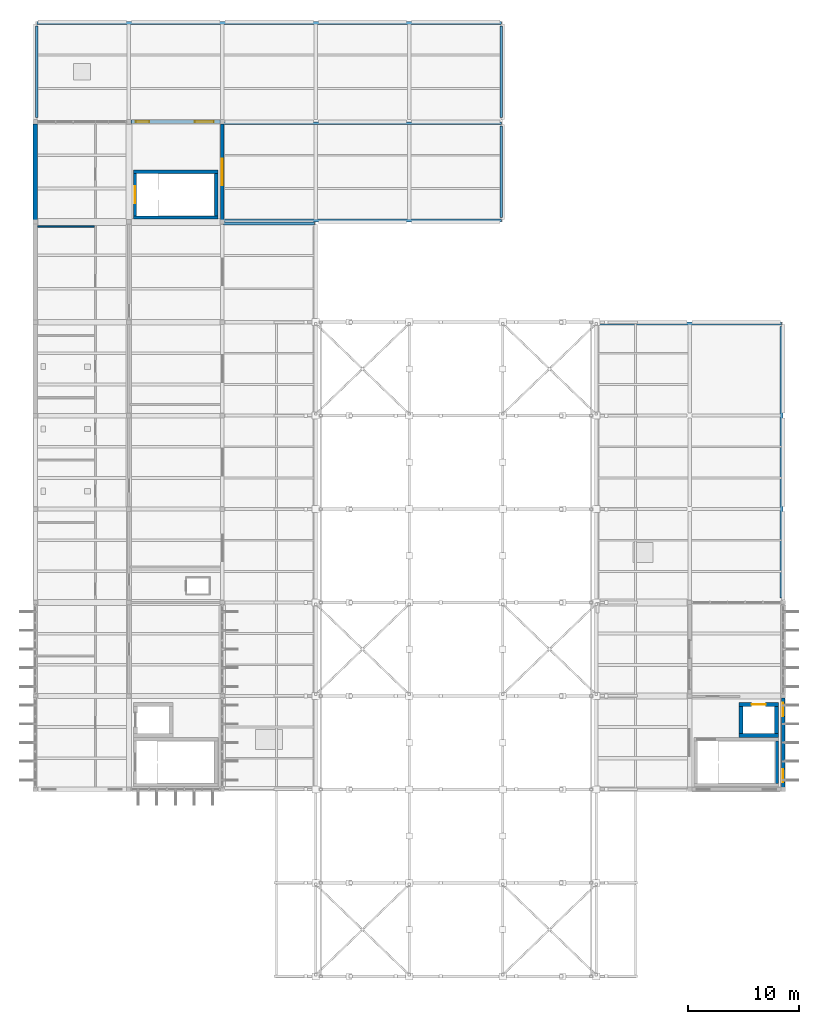
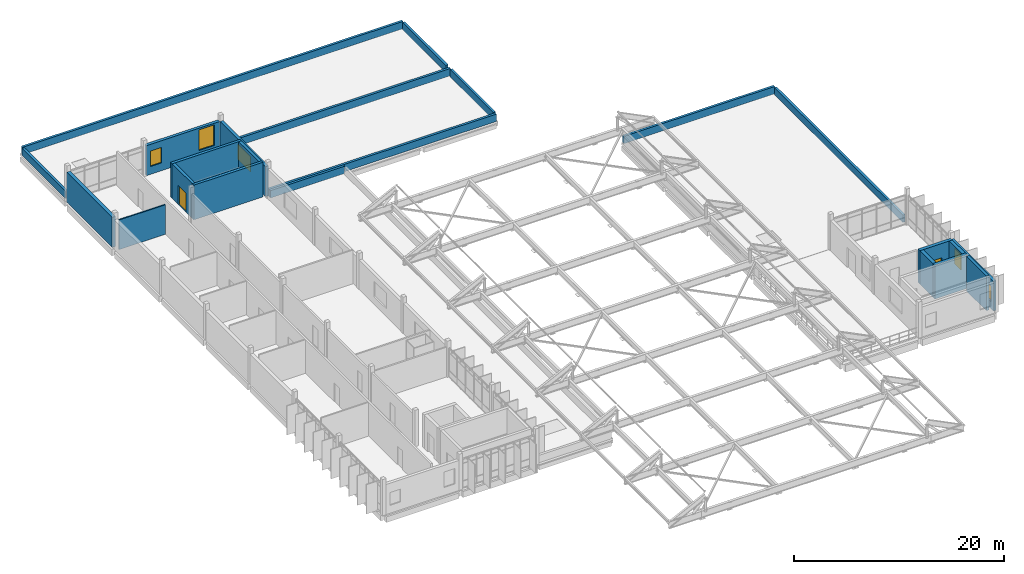
# One storey, part 37 of 41: 23 walls, 5 windows, 2 doors, 7 openings.
"""IFC4 building model written with IfcOpenShell, lengths in metres."""

from ifc_helpers import new_model, si_unit, direction, frame, frame_2d, origin, place, context, subcontext, project, spatial, rectangle, extrude, material, layer, layer_set, type_object, element, fill, save


model = new_model("IFC4")

# Units and contexts
model_context = context("Model", 3, precision=1e-05, world=origin(), true_north=direction((0.0, 1.0)))
body_context = subcontext(model_context, "Body", "Model", "MODEL_VIEW")
ifc_project = project(units=[si_unit("LENGTHUNIT", "METRE"), si_unit("AREAUNIT", "SQUARE_METRE"), si_unit("VOLUMEUNIT", "CUBIC_METRE"), si_unit("PLANEANGLEUNIT", "RADIAN"), si_unit("MASSUNIT", "GRAM", prefix="KILO")], contexts=[model_context])

# Site, building, storey
site_placement = place(None, origin())
site = spatial("IfcSite", under=ifc_project, at=site_placement, CompositionType="ELEMENT")
building_placement = place(site_placement, origin())
building = spatial("IfcBuilding", under=site, at=building_placement, Name="Vireocrest Preparatory School", CompositionType="ELEMENT")
storey_placement = place(building_placement, frame((0.0, 0.0, 21.60009765625)))
storey = spatial("IfcBuildingStorey", under=building, at=storey_placement, Name="L05", CompositionType="ELEMENT", Elevation=21.60009765625)

# Wall
ifc_material_1 = material(Name="Gypsum board on cold-formed steel studs", Category="steel")
ifc_layer_1 = layer(ifc_material_1, 0.139892578125)
ifc_layer_set_1 = layer_set([ifc_layer_1], Name="Gypsum board on cold-formed steel studs")
wall_type_1 = type_object("IfcWallType", Name="Classroom Acoustic Partition Wall 140", PredefinedType="PARTITIONING", material=ifc_layer_set_1)
wall_1_placement = place(storey_placement, frame((42.195068359375, 94.39990234375, 0.0), z_axis=(0.0, 0.0, 1.0), x_axis=(1.0, 0.0, 0.0)))
element("IfcWall", 1, at=wall_1_placement, inside=storey, type_object=wall_type_1, Name="Interior Partition W03 IW_L05_0331", PredefinedType="PARTITIONING", context=body_context, shape_type="SweptSolid", body=[
    extrude(rectangle(XDim=5.099853515625, YDim=0.139892578125, at=frame_2d((2.5498046875, 0.0))), origin(), (0.0, 0.0, 1.0), 3.429931640625),
])

# Wall, openings, windows
ifc_material_2 = material(Name="Precast white concrete 40 MPa", Category="concrete")
ifc_layer_2 = layer(ifc_material_2, 0.320068359375)
ifc_layer_set_2 = layer_set([ifc_layer_2], Name="Precast white concrete 40 MPa")
wall_type_2 = type_object("IfcWallType", Name="High-Tech Insulated Rainscreen External Wall 320", PredefinedType="SOLIDWALL", material=ifc_layer_set_2)
wall_2_placement = place(storey_placement, frame((109.199951171875, 43.97509765625, 0.0), z_axis=(0.0, 0.0, 1.0), x_axis=(0.0, 1.0, 0.0)))
wall_2 = element("IfcWall", 2, at=wall_2_placement, inside=storey, type_object=wall_type_2, Name="External Wall W12 EW_L05_0396", PredefinedType="SOLIDWALL", context=body_context, shape_type="SweptSolid", body=[
    extrude(rectangle(XDim=8.0498046875, YDim=0.320068359375, at=frame_2d((4.02490234375, 0.0))), origin(), (0.0, 0.0, 1.0), 3.429931640625),
])
opening_1_placement = place(wall_2_placement, frame((0.449951171875, 0.0, 0.85009765625)))
opening_1 = element("IfcOpeningElement", 3, at=opening_1_placement, cuts=wall_2, Name="Opening WN02", PredefinedType="OPENING", context=body_context, shape_type="SweptSolid", body=[
    extrude(rectangle(XDim=1.199951171875, YDim=1.800048828125, at=frame_2d((0.60009765625, 0.89990234375))), frame((0.0, 0.169921875, 0.0), z_axis=(0.0, -1.0, 0.0), x_axis=(1.0, 0.0, 0.0)), (0.0, 0.0, 1.0), 0.340087890625),
])
opening_2_placement = place(wall_2_placement, frame((6.39990234375, 0.0, 0.85009765625)))
opening_2 = element("IfcOpeningElement", 4, at=opening_2_placement, cuts=wall_2, Name="Opening WN02", PredefinedType="OPENING", context=body_context, shape_type="SweptSolid", body=[
    extrude(rectangle(XDim=1.199951171875, YDim=1.800048828125, at=frame_2d((0.60009765625, 0.89990234375))), frame((0.0, 0.169921875, 0.0), z_axis=(0.0, -1.0, 0.0), x_axis=(1.0, 0.0, 0.0)), (0.0, 0.0, 1.0), 0.340087890625),
])
ifc_material_3 = material(Name="Thermally broken aluminium EN AW-6063-T6", Category="aluminium")
window_type_1 = type_object("IfcWindowType", Name="Counseling Window 1200x1800", PartitioningType="SINGLE_PANEL", PredefinedType="WINDOW", material=ifc_material_3)
window_1_placement = place(opening_1_placement, origin())
window_1 = element("IfcWindow", 5, at=window_1_placement, inside=storey, type_object=window_type_1, Name="Window W-L05-200 (WN02)", OverallHeight=1.800048828125, OverallWidth=1.199951171875, PartitioningType="SINGLE_PANEL", PredefinedType="WINDOW", context=body_context, shape_type="SweptSolid", body=[
    extrude(rectangle(XDim=1.199951171875, YDim=1.800048828125, at=frame_2d((0.60009765625, 0.89990234375))), frame((0.0, 0.030029296875, 0.0), z_axis=(0.0, -1.0, 0.0), x_axis=(1.0, 0.0, 0.0)), (0.0, 0.0, 1.0), 0.06005859375),
])
fill(opening_1, window_1)
window_2_placement = place(opening_2_placement, origin())
window_2 = element("IfcWindow", 6, at=window_2_placement, inside=storey, type_object=window_type_1, Name="Window W-L05-201 (WN02)", OverallHeight=1.800048828125, OverallWidth=1.199951171875, PartitioningType="SINGLE_PANEL", PredefinedType="WINDOW", context=body_context, shape_type="SweptSolid", body=[
    extrude(rectangle(XDim=1.199951171875, YDim=1.800048828125, at=frame_2d((0.60009765625, 0.89990234375))), frame((0.0, 0.030029296875, 0.0), z_axis=(0.0, -1.0, 0.0), x_axis=(1.0, 0.0, 0.0)), (0.0, 0.0, 1.0), 0.06005859375),
])
fill(opening_2, window_2)

# Wall, opening, window
wall_3_placement = place(storey_placement, frame((58.800048828125, 94.97509765625, 0.0), z_axis=(0.0, 0.0, 1.0), x_axis=(0.0, 1.0, 0.0)))
wall_3 = element("IfcWall", 7, at=wall_3_placement, inside=storey, type_object=wall_type_2, Name="External Wall W12 EW_L05_0409", PredefinedType="SOLIDWALL", context=body_context, shape_type="SweptSolid", body=[
    extrude(rectangle(XDim=8.64990234375, YDim=0.320068359375, at=frame_2d((4.324951171875, 0.0))), origin(), (0.0, 0.0, 1.0), 3.47998046875),
])
opening_3_placement = place(wall_3_placement, frame((3.125, 0.0, 0.89990234375)))
opening_3 = element("IfcOpeningElement", 8, at=opening_3_placement, cuts=wall_3, Name="Opening WN12", PredefinedType="OPENING", context=body_context, shape_type="SweptSolid", body=[
    extrude(rectangle(XDim=2.39990234375, YDim=1.800048828125, at=frame_2d((1.199951171875, 0.89990234375))), frame((0.0, 0.169921875, 0.0), z_axis=(0.0, -1.0, 0.0), x_axis=(1.0, 0.0, 0.0)), (0.0, 0.0, 1.0), 0.340087890625),
])
window_type_2 = type_object("IfcWindowType", Name="Classroom Paired Window 2400x1800", PartitioningType="DOUBLE_PANEL_VERTICAL", PredefinedType="WINDOW", material=ifc_material_3)
window_3_placement = place(opening_3_placement, origin())
window_3 = element("IfcWindow", 9, at=window_3_placement, inside=storey, type_object=window_type_2, Name="Window W-L05-210 (WN12)", OverallHeight=1.800048828125, OverallWidth=2.39990234375, PartitioningType="SINGLE_PANEL", PredefinedType="WINDOW", context=body_context, shape_type="SweptSolid", body=[
    extrude(rectangle(XDim=2.39990234375, YDim=1.800048828125, at=frame_2d((1.199951171875, 0.89990234375))), frame((0.0, 0.030029296875, 0.0), z_axis=(0.0, -1.0, 0.0), x_axis=(1.0, 0.0, 0.0)), (0.0, 0.0, 1.0), 0.06005859375),
])
fill(opening_3, window_3)

# Wall, openings, windows
wall_4_placement = place(storey_placement, frame((50.574951171875, 103.800048828125, 0.0), z_axis=(0.0, 0.0, 1.0), x_axis=(1.0, 0.0, 0.0)))
wall_4 = element("IfcWall", 10, at=wall_4_placement, inside=storey, type_object=wall_type_2, Name="External Wall W12 EW_L05_0411", PredefinedType="SOLIDWALL", context=body_context, shape_type="SweptSolid", body=[
    extrude(rectangle(XDim=8.050048828125, YDim=0.320068359375, at=frame_2d((4.02490234375, 0.0))), origin(), (0.0, 0.0, 1.0), 3.47998046875),
])
opening_4_placement = place(wall_4_placement, frame((0.449951171875, 0.0, 0.89990234375)))
opening_4 = element("IfcOpeningElement", 11, at=opening_4_placement, cuts=wall_4, Name="Opening WN02", PredefinedType="OPENING", context=body_context, shape_type="SweptSolid", body=[
    extrude(rectangle(XDim=1.199951171875, YDim=1.800048828125, at=frame_2d((0.60009765625, 0.89990234375))), frame((0.0, 0.169921875, 0.0), z_axis=(0.0, -1.0, 0.0), x_axis=(1.0, 0.0, 0.0)), (0.0, 0.0, 1.0), 0.340087890625),
])
opening_5_placement = place(wall_4_placement, frame((5.77001953125, 0.0, 0.89990234375)))
opening_5 = element("IfcOpeningElement", 12, at=opening_5_placement, cuts=wall_4, Name="Opening WN07", PredefinedType="OPENING", context=body_context, shape_type="SweptSolid", body=[
    extrude(rectangle(XDim=1.679931640625, YDim=2.39990234375, at=frame_2d((0.83984375, 1.199951171875))), frame((0.0, 0.169921875, 0.0), z_axis=(0.0, -1.0, 0.0), x_axis=(1.0, 0.0, 0.0)), (0.0, 0.0, 1.0), 0.340087890625),
])
window_4_placement = place(opening_4_placement, origin())
window_4 = element("IfcWindow", 13, at=window_4_placement, inside=storey, type_object=window_type_1, Name="Window W-L05-211 (WN02)", OverallHeight=1.800048828125, OverallWidth=1.199951171875, PartitioningType="SINGLE_PANEL", PredefinedType="WINDOW", context=body_context, shape_type="SweptSolid", body=[
    extrude(rectangle(XDim=1.199951171875, YDim=1.800048828125, at=frame_2d((0.60009765625, 0.89990234375))), frame((0.0, 0.030029296875, 0.0), z_axis=(0.0, -1.0, 0.0), x_axis=(1.0, 0.0, 0.0)), (0.0, 0.0, 1.0), 0.06005859375),
])
fill(opening_4, window_4)
window_type_3 = type_object("IfcWindowType", Name="Module Lab Window 1680x2400", PartitioningType="SINGLE_PANEL", PredefinedType="WINDOW", material=ifc_material_3)
window_5_placement = place(opening_5_placement, origin())
window_5 = element("IfcWindow", 14, at=window_5_placement, inside=storey, type_object=window_type_3, Name="Window W-L05-212 (WN07)", OverallHeight=2.39990234375, OverallWidth=1.679931640625, PartitioningType="SINGLE_PANEL", PredefinedType="WINDOW", context=body_context, shape_type="SweptSolid", body=[
    extrude(rectangle(XDim=1.679931640625, YDim=2.39990234375, at=frame_2d((0.83984375, 1.199951171875))), frame((0.0, 0.030029296875, 0.0), z_axis=(0.0, -1.0, 0.0), x_axis=(1.0, 0.0, 0.0)), (0.0, 0.0, 1.0), 0.06005859375),
])
fill(opening_5, window_5)

# Walls
ifc_layer_3 = layer(ifc_material_2, 0.260009765625)
ifc_layer_set_3 = layer_set([ifc_layer_3], Name="Precast white concrete 40 MPa")
wall_type_3 = type_object("IfcWallType", Name="Insulated Roof Parapet Wall 260", PredefinedType="PARAPET", material=ifc_layer_set_3)
wall_5_placement = place(storey_placement, frame((58.929931640625, 94.669921875, 0.0), z_axis=(0.0, 0.0, 1.0), x_axis=(1.0, 0.0, 0.0)))
element("IfcWall", 15, at=wall_5_placement, inside=storey, type_object=wall_type_3, Name="Roof Parapet W09 L05_WEST_COURT_ROOF-27", PredefinedType="PARAPET", context=body_context, shape_type="SweptSolid", body=[
    extrude(rectangle(XDim=8.14013671875, YDim=0.260009765625, at=frame_2d((4.070068359375, 0.0))), origin(), (0.0, 0.0, 1.0), 0.849853515625),
])
wall_6_placement = place(storey_placement, frame((42.1298828125, 112.669921875, 0.0), z_axis=(0.0, 0.0, 1.0), x_axis=(1.0, 0.0, 0.0)))
element("IfcWall", 16, at=wall_6_placement, inside=storey, type_object=wall_type_3, Name="Roof Parapet W09 L05_NORTH_W_ROOF-29", PredefinedType="PARAPET", context=body_context, shape_type="SweptSolid", body=[
    extrude(rectangle(XDim=41.740234375, YDim=0.260009765625, at=frame_2d((20.8701171875, 0.0))), origin(), (0.0, 0.0, 1.0), 0.849853515625),
])
for number, where, z_axis, x_axis, name in (
    (17, (42.1298828125, 104.18994140625, 0.0), (0.0, 0.0, 1.0), (0.0, 1.0, 0.0), "Roof Parapet W09 L05_NORTH_W_ROOF-30"),
    (18, (83.8701171875, 104.18994140625, 0.0), (0.0, 0.0, 1.0), (0.0, 1.0, 0.0), "Roof Parapet W09 L05_NORTH_W_ROOF-31"),
):
    element("IfcWall", number, at=place(storey_placement, frame(where, z_axis=z_axis, x_axis=x_axis)), inside=storey, type_object=wall_type_3, Name=name, PredefinedType="PARAPET", context=body_context, shape_type="SweptSolid", body=[
        extrude(rectangle(XDim=8.219970703125, YDim=0.260009765625, at=frame_2d((4.10986328125, 0.0))), origin(), (0.0, 0.0, 1.0), 0.849853515625),
    ])
for number, where, z_axis, x_axis, name in (
    (19, (58.929931640625, 94.929931640625, 0.0), (0.0, 0.0, 1.0), (1.0, 0.0, 0.0), "Roof Parapet W09 L05_NORTH_C_ROOF-32"),
    (20, (58.929931640625, 103.669921875, 0.0), (0.0, 0.0, 1.0), (1.0, 0.0, 0.0), "Roof Parapet W09 L05_NORTH_C_ROOF-33"),
):
    element("IfcWall", number, at=place(storey_placement, frame(where, z_axis=z_axis, x_axis=x_axis)), inside=storey, type_object=wall_type_3, Name=name, PredefinedType="PARAPET", context=body_context, shape_type="SweptSolid", body=[
        extrude(rectangle(XDim=24.940185546875, YDim=0.260009765625, at=frame_2d((12.47021484375, 0.0))), origin(), (0.0, 0.0, 1.0), 0.849853515625),
    ])
wall_7_placement = place(storey_placement, frame((83.8701171875, 95.18994140625, 0.0), z_axis=(0.0, 0.0, 1.0), x_axis=(0.0, 1.0, 0.0)))
element("IfcWall", 21, at=wall_7_placement, inside=storey, type_object=wall_type_3, Name="Roof Parapet W09 L05_NORTH_C_ROOF-34", PredefinedType="PARAPET", context=body_context, shape_type="SweptSolid", body=[
    extrude(rectangle(XDim=8.219970703125, YDim=0.260009765625, at=frame_2d((4.10986328125, 0.0))), origin(), (0.0, 0.0, 1.0), 0.849853515625),
])
wall_8_placement = place(storey_placement, frame((92.530029296875, 85.669921875, 0.0), z_axis=(0.0, 0.0, 1.0), x_axis=(1.0, 0.0, 0.0)))
element("IfcWall", 22, at=wall_8_placement, inside=storey, type_object=wall_type_3, Name="Roof Parapet W09 L05_EAST_ROOF-35", PredefinedType="PARAPET", context=body_context, shape_type="SweptSolid", body=[
    extrude(rectangle(XDim=16.5400390625, YDim=0.260009765625, at=frame_2d((8.27001953125, 0.0))), origin(), (0.0, 0.0, 1.0), 0.849853515625),
])
wall_9_placement = place(storey_placement, frame((109.070068359375, 60.989990234375, 0.0), z_axis=(0.0, 0.0, 1.0), x_axis=(0.0, 1.0, 0.0)))
element("IfcWall", 23, at=wall_9_placement, inside=storey, type_object=wall_type_3, Name="Roof Parapet W09 L05_EAST_ROOF-37", PredefinedType="PARAPET", context=body_context, shape_type="SweptSolid", body=[
    extrude(rectangle(XDim=24.419921875, YDim=0.260009765625, at=frame_2d((12.2099609375, 0.0))), origin(), (0.0, 0.0, 1.0), 0.849853515625),
])
ifc_material_4 = material(Name="Concrete 45 MPa", Category="concrete")
ifc_layer_4 = layer(ifc_material_4, 0.35009765625)
ifc_layer_set_4 = layer_set([ifc_layer_4], Name="Concrete 45 MPa")
wall_type_4 = type_object("IfcWallType", Name="Two-Hour RC Lift Core Shear Wall 350", PredefinedType="SHEAR", material=ifc_layer_set_4)
wall_10_placement = place(storey_placement, frame((105.22509765625, 48.64990234375, 0.0), z_axis=(0.0, 0.0, 1.0), x_axis=(1.0, 0.0, 0.0)))
element("IfcWall", 24, at=wall_10_placement, inside=storey, type_object=wall_type_4, Name="Lift Core Shear Wall LF2 L05-S", PredefinedType="SHEAR", context=body_context, shape_type="SweptSolid", body=[
    extrude(rectangle(XDim=3.5498046875, YDim=0.35009765625, at=frame_2d((1.77490234375, 0.0))), origin(), (0.0, 0.0, 1.0), 3.919921875),
])

# Wall, opening, door
wall_11_placement = place(storey_placement, frame((105.22509765625, 51.449951171875, 0.0), z_axis=(0.0, 0.0, 1.0), x_axis=(1.0, 0.0, 0.0)))
wall_11 = element("IfcWall", 25, at=wall_11_placement, inside=storey, type_object=wall_type_4, Name="Lift Core Shear Wall LF2 L05-N", PredefinedType="SHEAR", context=body_context, shape_type="SweptSolid", body=[
    extrude(rectangle(XDim=3.5498046875, YDim=0.35009765625, at=frame_2d((1.77490234375, 0.0))), origin(), (0.0, 0.0, 1.0), 3.919921875),
])
opening_6_placement = place(wall_11_placement, frame((1.14990234375, 0.0, 0.0)))
opening_6 = element("IfcOpeningElement", 26, at=opening_6_placement, cuts=wall_11, Name="Opening LD-LF2-L05", PredefinedType="OPENING", context=body_context, shape_type="SweptSolid", body=[
    extrude(rectangle(XDim=1.25, YDim=2.25, at=frame_2d((0.625, 1.125))), frame((0.0, 0.18505859375, 0.0), z_axis=(0.0, -1.0, 0.0), x_axis=(1.0, 0.0, 0.0)), (0.0, 0.0, 1.0), 0.3701171875),
])
ifc_material_5 = material(Name="Painted galvanized hollow steel", Category="steel")
door_type_1 = type_object("IfcDoorType", Name="Stretcher Lift Landing Sliding Door 1250x2250", OperationType="DOUBLE_DOOR_SLIDING", PredefinedType="DOOR", material=ifc_material_5)
door_1_placement = place(opening_6_placement, origin())
door_1 = element("IfcDoor", 27, at=door_1_placement, inside=storey, type_object=door_type_1, Name="Lift Landing Door LD-LF2-L05", OperationType="DOUBLE_DOOR_SLIDING", OverallHeight=2.25, OverallWidth=1.25, PredefinedType="DOOR", context=body_context, shape_type="SweptSolid", body=[
    extrude(rectangle(XDim=1.25, YDim=2.25, at=frame_2d((0.625, 1.125))), frame((0.0, 0.02490234375, 0.0), z_axis=(0.0, -1.0, 0.0), x_axis=(1.0, 0.0, 0.0)), (0.0, 0.0, 1.0), 0.050048828125),
])
fill(opening_6, door_1)

# Walls
for number, where, z_axis, x_axis, name in (
    (28, (105.39990234375, 48.824951171875, 0.0), (0.0, 0.0, 1.0), (0.0, 1.0, 0.0), "Lift Core Shear Wall LF2 L05-W"),
    (29, (108.60009765625, 48.824951171875, 0.0), (0.0, 0.0, 1.0), (0.0, 1.0, 0.0), "Lift Core Shear Wall LF2 L05-E"),
):
    element("IfcWall", number, at=place(storey_placement, frame(where, z_axis=z_axis, x_axis=x_axis)), inside=storey, type_object=wall_type_4, Name=name, PredefinedType="SHEAR", context=body_context, shape_type="SweptSolid", body=[
        extrude(rectangle(XDim=2.449951171875, YDim=0.35009765625, at=frame_2d((1.22509765625, 0.0))), origin(), (0.0, 0.0, 1.0), 3.919921875),
    ])
ifc_layer_5 = layer(ifc_material_4, 0.3798828125)
ifc_layer_set_5 = layer_set([ifc_layer_5], Name="Concrete 45 MPa")
wall_type_5 = type_object("IfcWallType", Name="Two-Hour RC Lot-Line Shear Wall 380", PredefinedType="SHEAR", material=ifc_layer_set_5)
wall_12_placement = place(storey_placement, frame((42.0, 94.97509765625, 0.0), z_axis=(0.0, 0.0, 1.0), x_axis=(0.0, 1.0, 0.0)))
element("IfcWall", 30, at=wall_12_placement, inside=storey, type_object=wall_type_5, Name="External Wall PW1 PARTY_L05_0418", PredefinedType="SHEAR", context=body_context, shape_type="SweptSolid", body=[
    extrude(rectangle(XDim=8.64990234375, YDim=0.3798828125, at=frame_2d((4.324951171875, 0.0))), origin(), (0.0, 0.0, 1.0), 3.47998046875),
])
ifc_layer_6 = layer(ifc_material_4, 0.300048828125)
ifc_layer_set_6 = layer_set([ifc_layer_6], Name="Concrete 45 MPa")
wall_type_6 = type_object("IfcWallType", Name="Two-Hour RC Stair Shaft Shear Wall 300", PredefinedType="SHEAR", material=ifc_layer_set_6)
wall_13_placement = place(storey_placement, frame((108.64990234375, 44.35009765625, 0.0), z_axis=(0.0, 0.0, 1.0), x_axis=(0.0, 1.0, 0.0)))
element("IfcWall", 31, at=wall_13_placement, inside=storey, type_object=wall_type_6, Name="Stair Core Shear Wall ST2 L05-E", PredefinedType="SHEAR", context=body_context, shape_type="SweptSolid", body=[
    extrude(rectangle(XDim=3.7998046875, YDim=0.300048828125, at=frame_2d((1.89990234375, 0.0))), origin(), (0.0, 0.0, 1.0), 4.02490234375),
])
for number, where, z_axis, x_axis, name in (
    (32, (50.800048828125, 95.199951171875, 0.0), (0.0, 0.0, 1.0), (1.0, 0.0, 0.0), "Stair Core Shear Wall ST3 L05-S"),
    (33, (50.800048828125, 99.300048828125, 0.0), (0.0, 0.0, 1.0), (1.0, 0.0, 0.0), "Stair Core Shear Wall ST3 L05-N"),
):
    element("IfcWall", number, at=place(storey_placement, frame(where, z_axis=z_axis, x_axis=x_axis)), inside=storey, type_object=wall_type_6, Name=name, PredefinedType="SHEAR", context=body_context, shape_type="SweptSolid", body=[
        extrude(rectangle(XDim=7.599853515625, YDim=0.300048828125, at=frame_2d((3.7998046875, 0.0))), origin(), (0.0, 0.0, 1.0), 4.02490234375),
    ])

# Wall, opening, door
wall_14_placement = place(storey_placement, frame((50.949951171875, 95.35009765625, 0.0), z_axis=(0.0, 0.0, 1.0), x_axis=(0.0, 1.0, 0.0)))
wall_14 = element("IfcWall", 34, at=wall_14_placement, inside=storey, type_object=wall_type_6, Name="Stair Core Shear Wall ST3 L05-W", PredefinedType="SHEAR", context=body_context, shape_type="SweptSolid", body=[
    extrude(rectangle(XDim=3.7998046875, YDim=0.300048828125, at=frame_2d((1.89990234375, 0.0))), origin(), (0.0, 0.0, 1.0), 4.02490234375),
])
opening_7_placement = place(wall_14_placement, frame((1.14990234375, 0.0, 0.0)))
opening_7 = element("IfcOpeningElement", 35, at=opening_7_placement, cuts=wall_14, Name="Opening SD-ST3-L05", PredefinedType="OPENING", context=body_context, shape_type="SweptSolid", body=[
    extrude(rectangle(XDim=1.5, YDim=2.199951171875, at=frame_2d((0.75, 1.10009765625))), frame((0.0, 0.159912109375, 0.0), z_axis=(0.0, -1.0, 0.0), x_axis=(1.0, 0.0, 0.0)), (0.0, 0.0, 1.0), 0.320068359375),
])
door_type_2 = type_object("IfcDoorType", Name="Stair Enclosure Fire Door 1500x2200", OperationType="DOUBLE_DOOR_SINGLE_SWING", PredefinedType="DOOR", material=ifc_material_5)
door_2_placement = place(opening_7_placement, origin())
door_2 = element("IfcDoor", 36, at=door_2_placement, inside=storey, type_object=door_type_2, Name="Stair Enclosure Fire Door SD-ST3-L05", OperationType="DOUBLE_DOOR_SINGLE_SWING", OverallHeight=2.199951171875, OverallWidth=1.5, PredefinedType="DOOR", context=body_context, shape_type="SweptSolid", body=[
    extrude(rectangle(XDim=1.5, YDim=2.199951171875, at=frame_2d((0.75, 1.10009765625))), frame((0.0, 0.02490234375, 0.0), z_axis=(0.0, -1.0, 0.0), x_axis=(1.0, 0.0, 0.0)), (0.0, 0.0, 1.0), 0.050048828125),
])
fill(opening_7, door_2)

# Wall
wall_15_placement = place(storey_placement, frame((58.25, 95.35009765625, 0.0), z_axis=(0.0, 0.0, 1.0), x_axis=(0.0, 1.0, 0.0)))
element("IfcWall", 37, at=wall_15_placement, inside=storey, type_object=wall_type_6, Name="Stair Core Shear Wall ST3 L05-E", PredefinedType="SHEAR", context=body_context, shape_type="SweptSolid", body=[
    extrude(rectangle(XDim=3.7998046875, YDim=0.300048828125, at=frame_2d((1.89990234375, 0.0))), origin(), (0.0, 0.0, 1.0), 4.02490234375),
])

save(model, "model.ifc")
